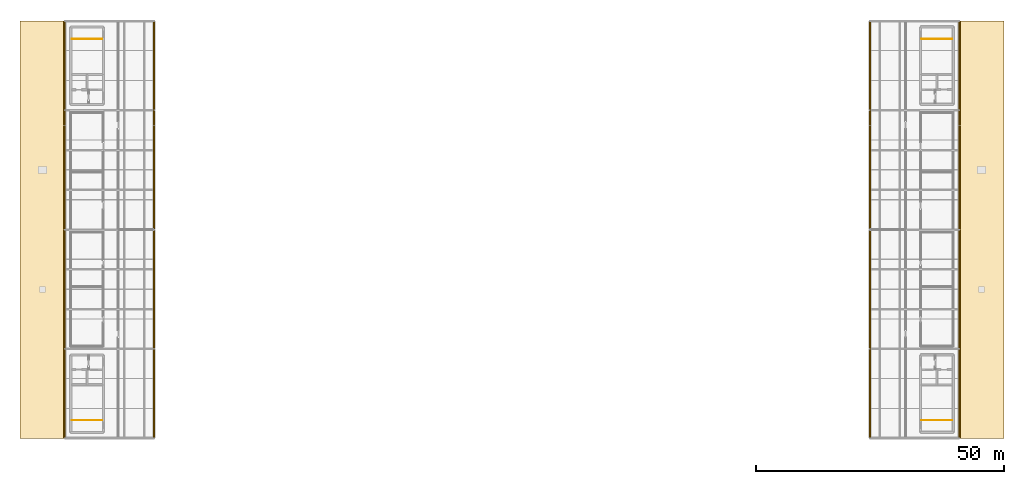
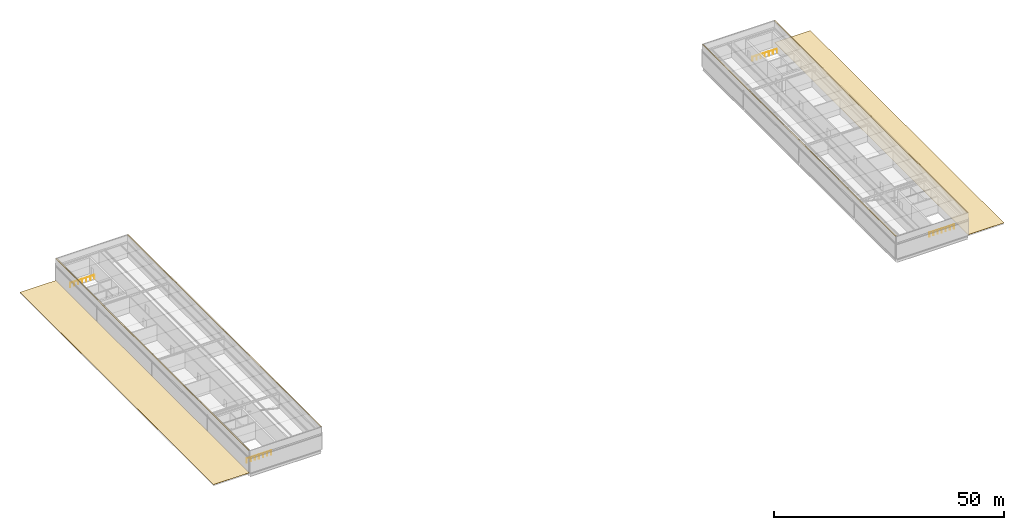
# One storey, part 13 of 13: 18 coverings, 4 railings, 2 elements without a shape of their own.
"""IFC4 building model written with IfcOpenShell, lengths in metres."""

from ifc_helpers import new_model, si_unit, direction, frame, origin, origin_2d, place, context, subcontext, project, spatial, polyline, rectangle, circle, outline, extrude, material, layer, layer_set, type_object, element, aggregate, save


model = new_model("IFC4")

# Units and contexts
model_context = context("Model", 3, precision=1e-05, world=origin(), true_north=direction((0.0, 1.0)))
body_context = subcontext(model_context, "Body", "Model", "MODEL_VIEW")
ifc_project = project(units=[si_unit("LENGTHUNIT", "METRE"), si_unit("AREAUNIT", "SQUARE_METRE"), si_unit("VOLUMEUNIT", "CUBIC_METRE"), si_unit("PLANEANGLEUNIT", "RADIAN"), si_unit("MASSUNIT", "GRAM", prefix="KILO")], contexts=[model_context])

# Site, building, storey
site_placement = place(None, origin())
site = spatial("IfcSite", under=ifc_project, at=site_placement, CompositionType="ELEMENT")
building_placement = place(site_placement, origin())
building = spatial("IfcBuilding", under=site, at=building_placement, Name="Kisiwana Market Hall", CompositionType="ELEMENT")
storey_placement = place(building_placement, frame((0.0, 0.0, 69.89990234375)))
storey = spatial("IfcBuildingStorey", under=building, at=storey_placement, Name="L16", CompositionType="ELEMENT", Elevation=69.89990234375)

# Coverings
ifc_material_1 = material(Name="Aluminium alloy 6063-T6", Category="aluminium")
ifc_layer_1 = layer(ifc_material_1, 0.02001953125)
ifc_layer_set_1 = layer_set([ifc_layer_1], Name="COV-CLAD-COPING")
covering_type_1 = type_object("IfcCoveringType", Name="COV-CLAD-COPING", PredefinedType="CLADDING", material=ifc_layer_set_1)
for number, where, z_axis, x_axis, name in (
    (1, (9.0, 28.5, 5.900146484375), (0.0, 0.0, 1.0), (1.0, 0.0, 0.0), "Crown parapet coping cladding COV-COPE-012"),
    (2, (9.0, 49.5, 5.900146484375), (0.0, 0.0, 1.0), (1.0, 0.0, 0.0), "Crown parapet coping cladding COV-COPE-013"),
    (3, (9.0, 70.5, 5.900146484375), (0.0, 0.0, 1.0), (1.0, 0.0, 0.0), "Crown parapet coping cladding COV-COPE-014"),
    (4, (9.0, 91.5, 5.900146484375), (0.0, 0.0, 1.0), (1.0, 0.0, 0.0), "Crown parapet coping cladding COV-COPE-015"),
    (5, (27.0, 28.5, 5.900146484375), (0.0, 0.0, 1.0), (1.0, 0.0, 0.0), "Crown parapet coping cladding COV-COPE-016"),
    (6, (27.0, 49.5, 5.900146484375), (0.0, 0.0, 1.0), (1.0, 0.0, 0.0), "Crown parapet coping cladding COV-COPE-017"),
    (7, (27.0, 70.5, 5.900146484375), (0.0, 0.0, 1.0), (1.0, 0.0, 0.0), "Crown parapet coping cladding COV-COPE-018"),
    (8, (27.0, 91.5, 5.900146484375), (0.0, 0.0, 1.0), (1.0, 0.0, 0.0), "Crown parapet coping cladding COV-COPE-019"),
    (9, (171.0, 28.5, 5.900146484375), (0.0, 0.0, 1.0), (1.0, 0.0, 0.0), "Crown parapet coping cladding COV-COPE-020"),
    (10, (171.0, 49.5, 5.900146484375), (0.0, 0.0, 1.0), (1.0, 0.0, 0.0), "Crown parapet coping cladding COV-COPE-021"),
    (11, (171.0, 70.5, 5.900146484375), (0.0, 0.0, 1.0), (1.0, 0.0, 0.0), "Crown parapet coping cladding COV-COPE-022"),
    (12, (171.0, 91.5, 5.900146484375), (0.0, 0.0, 1.0), (1.0, 0.0, 0.0), "Crown parapet coping cladding COV-COPE-023"),
    (13, (189.0, 28.5, 5.900146484375), (0.0, 0.0, 1.0), (1.0, 0.0, 0.0), "Crown parapet coping cladding COV-COPE-024"),
    (14, (189.0, 49.5, 5.900146484375), (0.0, 0.0, 1.0), (1.0, 0.0, 0.0), "Crown parapet coping cladding COV-COPE-025"),
    (15, (189.0, 70.5, 5.900146484375), (0.0, 0.0, 1.0), (1.0, 0.0, 0.0), "Crown parapet coping cladding COV-COPE-026"),
    (16, (189.0, 91.5, 5.900146484375), (0.0, 0.0, 1.0), (1.0, 0.0, 0.0), "Crown parapet coping cladding COV-COPE-027"),
):
    element("IfcCovering", number, at=place(storey_placement, frame(where, z_axis=z_axis, x_axis=x_axis)), inside=storey, type_object=covering_type_1, Name=name, PredefinedType="CLADDING", context=body_context, shape_type="SweptSolid", body=[
        extrude(rectangle(XDim=0.300048828125, YDim=20.800048828125, at=origin_2d()), origin(), (0.0, 0.0, 1.0), 0.02001953125),
    ])

# Roof, covering
ifc_material_2 = material(Name="Concrete C32/40", Category="concrete")
ifc_layer_2 = layer(ifc_material_2, 0.22998046875)
ifc_layer_set_2 = layer_set([ifc_layer_2], Name="RF-CROWN-FLAT")
roof_type = type_object("IfcRoofType", Name="RF-CROWN-FLAT", PredefinedType="FLAT_ROOF", material=ifc_layer_set_2)
roof_1_placement = place(storey_placement, origin())
roof_1 = element("IfcRoof", 17, at=roof_1_placement, inside=storey, type_object=roof_type, Name="Flat roof assembly RF-L15-WO", PredefinedType="FLAT_ROOF")
ifc_material_3 = material(Name="Aluminium alloy 3003 standing-seam sheet", Category="aluminium")
ifc_layer_3 = layer(ifc_material_3, 0.034912109375)
ifc_layer_set_3 = layer_set([ifc_layer_3], Name="COV-ROOF-SEAM")
covering_type_2 = type_object("IfcCoveringType", Name="COV-ROOF-SEAM", PredefinedType="ROOFING", material=ifc_layer_set_3)
covering_1_placement = place(storey_placement, origin())
covering_1 = element("IfcCovering", 18, at=covering_1_placement, type_object=covering_type_2, Name="Standing-seam roof membrane RF-L15-WO", PredefinedType="ROOFING", context=body_context, shape_type="SweptSolid", body=[
    extrude(outline(polyline([(0.0, 18.0), (9.0, 18.0), (9.0, 102.0), (0.0, 102.0), (0.0, 18.0)])), origin(), (0.0, 0.0, 1.0), 0.03515625),
])
aggregate(roof_1, [covering_1])

roof_2_placement = place(storey_placement, origin())
roof_2 = element("IfcRoof", 19, at=roof_2_placement, inside=storey, type_object=roof_type, Name="Flat roof assembly RF-L15-EO", PredefinedType="FLAT_ROOF")
covering_2_placement = place(storey_placement, origin())
covering_2 = element("IfcCovering", 20, at=covering_2_placement, type_object=covering_type_2, Name="Standing-seam roof membrane RF-L15-EO", PredefinedType="ROOFING", context=body_context, shape_type="SweptSolid", body=[
    extrude(outline(polyline([(189.0, 18.0), (198.0, 18.0), (198.0, 102.0), (189.0, 102.0), (189.0, 18.0)])), origin(), (0.0, 0.0, 1.0), 0.03515625),
])
aggregate(roof_2, [covering_2])

# Railings
ifc_material_4 = material(Name="Steel S275", Category="steel")
railing_type = type_object("IfcRailingType", Name="RL-GUARD-1100", PredefinedType="GUARDRAIL", material=ifc_material_4)
for number, where, name in (
    (21, (10.445068359375, 21.655029296875, 0.0), "Core W2 top stairwell guardrail (L16) (RL-1689)"),
    (22, (10.445068359375, 98.344970703125, 0.0), "Core W1 top stairwell guardrail (L16) (RL-1690)"),
):
    element("IfcRailing", number, at=place(storey_placement, frame(where)), inside=storey, type_object=railing_type, Name=name, PredefinedType="GUARDRAIL", context=body_context, shape_type="SweptSolid", body=[
        extrude(circle(Radius=0.02392578125, at=origin_2d()), frame((0.0, 0.0, 1.076171875), z_axis=(1.0, 0.0, 0.0), x_axis=(0.0, 1.0, 0.0)), (0.0, 0.0, 1.0), 6.10986328125),
        extrude(circle(Radius=0.02099609375, at=origin_2d()), origin(), (0.0, 0.0, 1.0), 1.052001953125),
        extrude(circle(Radius=0.02099609375, at=origin_2d()), frame((1.018310546875, 0.0, 0.0)), (0.0, 0.0, 1.0), 1.052001953125),
        extrude(circle(Radius=0.02099609375, at=origin_2d()), frame((2.03662109375, 0.0, 0.0)), (0.0, 0.0, 1.0), 1.052001953125),
        extrude(circle(Radius=0.02099609375, at=origin_2d()), frame((3.054931640625, 0.0, 0.0)), (0.0, 0.0, 1.0), 1.052001953125),
        extrude(circle(Radius=0.02099609375, at=origin_2d()), frame((4.0732421875, 0.0, 0.0)), (0.0, 0.0, 1.0), 1.052001953125),
        extrude(circle(Radius=0.02099609375, at=origin_2d()), frame((5.091552734375, 0.0, 0.0)), (0.0, 0.0, 1.0), 1.052001953125),
        extrude(circle(Radius=0.02099609375, at=origin_2d()), frame((6.10986328125, 0.0, 0.0)), (0.0, 0.0, 1.0), 1.052001953125),
    ])
for number, where, name in (
    (23, (181.419921875, 21.6298828125, 0.0), "Core E2 top stairwell guardrail (L16) (RL-1691)"),
    (24, (181.419921875, 98.3701171875, 0.0), "Core E1 top stairwell guardrail (L16) (RL-1692)"),
):
    element("IfcRailing", number, at=place(storey_placement, frame(where)), inside=storey, type_object=railing_type, Name=name, PredefinedType="GUARDRAIL", context=body_context, shape_type="SweptSolid", body=[
        extrude(circle(Radius=0.02392578125, at=origin_2d()), frame((0.0, 0.0, 1.076171875), z_axis=(1.0, 0.0, 0.0), x_axis=(0.0, 1.0, 0.0)), (0.0, 0.0, 1.0), 6.16015625),
        extrude(circle(Radius=0.02099609375, at=origin_2d()), origin(), (0.0, 0.0, 1.0), 1.052001953125),
        extrude(circle(Radius=0.02099609375, at=origin_2d()), frame((1.026611328125, 0.0, 0.0)), (0.0, 0.0, 1.0), 1.052001953125),
        extrude(circle(Radius=0.02099609375, at=origin_2d()), frame((2.053466796875, 0.0, 0.0)), (0.0, 0.0, 1.0), 1.052001953125),
        extrude(circle(Radius=0.02099609375, at=origin_2d()), frame((3.080078125, 0.0, 0.0)), (0.0, 0.0, 1.0), 1.052001953125),
        extrude(circle(Radius=0.02099609375, at=origin_2d()), frame((4.106689453125, 0.0, 0.0)), (0.0, 0.0, 1.0), 1.052001953125),
        extrude(circle(Radius=0.02099609375, at=origin_2d()), frame((5.133544921875, 0.0, 0.0)), (0.0, 0.0, 1.0), 1.052001953125),
        extrude(circle(Radius=0.02099609375, at=origin_2d()), frame((6.16015625, 0.0, 0.0)), (0.0, 0.0, 1.0), 1.052001953125),
    ])

save(model, "model.ifc")
